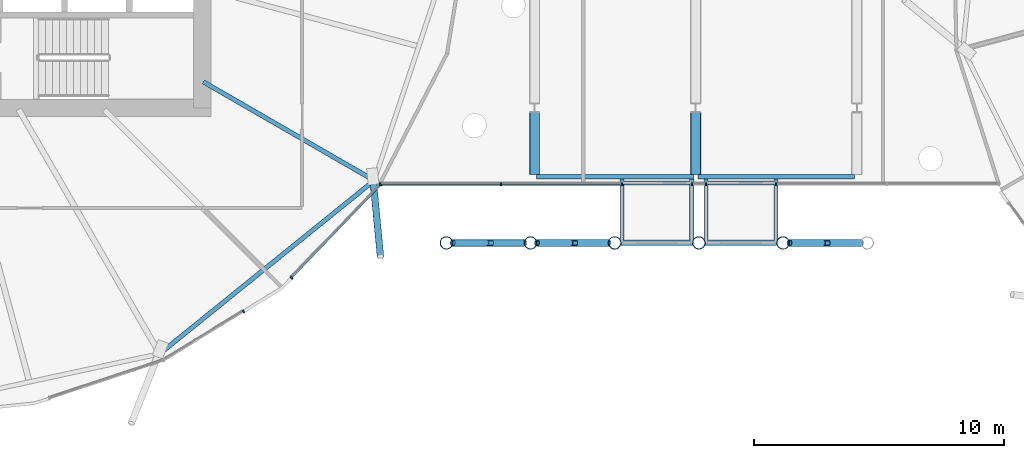
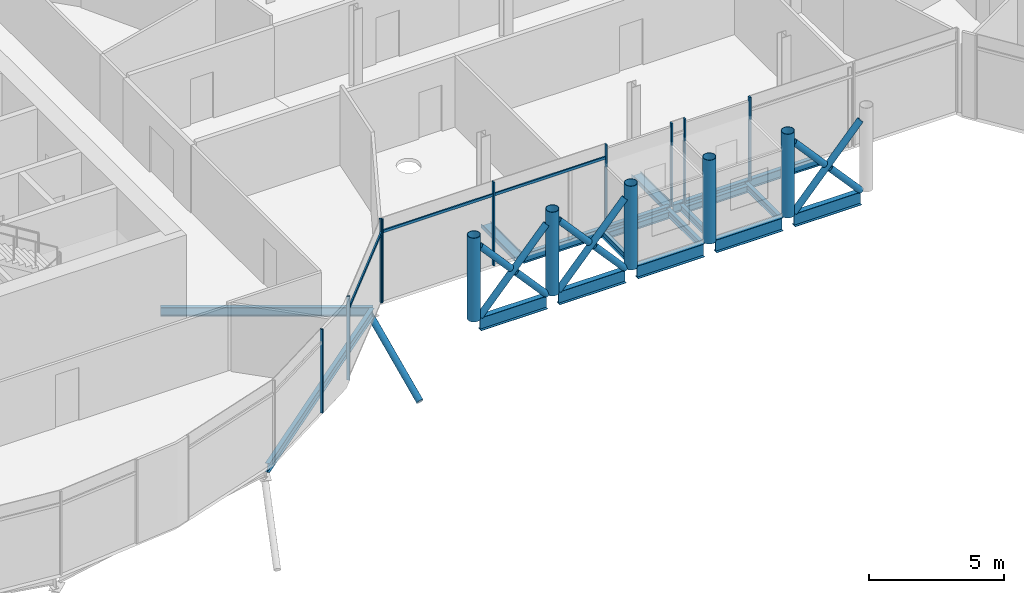
# One storey, part 6 of 39: 27 members, 17 beams, 2 elements without a shape of their own.
"""IFC4 building model written with IfcOpenShell, lengths in metres."""

from ifc_helpers import new_model, si_unit, direction, frame, origin, origin_2d, place, context, subcontext, project, spatial, rectangle, hollow_circle, i_section, extrude, clip, halfspace, material, material_profile, profile_set, type_object, element, aggregate, save


model = new_model("IFC4")

# Units and contexts
model_context = context("Model", 3, precision=1e-05, world=origin(), true_north=direction((0.0, 1.0)))
body_context = subcontext(model_context, "Body", "Model", "MODEL_VIEW")
ifc_project = project(units=[si_unit("LENGTHUNIT", "METRE"), si_unit("AREAUNIT", "SQUARE_METRE"), si_unit("VOLUMEUNIT", "CUBIC_METRE"), si_unit("PLANEANGLEUNIT", "RADIAN"), si_unit("MASSUNIT", "GRAM", prefix="KILO")], contexts=[model_context])

# Site, building, storey
site_placement = place(None, origin())
site = spatial("IfcSite", under=ifc_project, at=site_placement, CompositionType="ELEMENT")
building_placement = place(site_placement, origin())
building = spatial("IfcBuilding", under=site, at=building_placement, Name="Rimbun Link Towers", CompositionType="ELEMENT")
storey_placement = place(building_placement, frame((0.0, 0.0, 139.199951171875)))
storey = spatial("IfcBuildingStorey", under=building, at=storey_placement, Name="L33", CompositionType="ELEMENT", Elevation=139.199951171875)

# Curtain wall, members
ifc_material_1 = material(Name="Aluminium 6063-T6 and low-iron glass", Category="aluminium")
curtain_wall_type = type_object("IfcCurtainWallType", Name="CW4 link block wall", PredefinedType="NOTDEFINED", material=ifc_material_1)
curtain_wall_1_placement = place(storey_placement, origin())
curtain_wall_1 = element("IfcCurtainWall", 1, at=curtain_wall_1_placement, inside=storey, type_object=curtain_wall_type, Name="CW4 L33 T1", PredefinedType="NOTDEFINED")
ifc_material_2 = material(Name="Aluminium 6063-T6", Category="aluminium")
ifc_material_profile_1 = material_profile(ifc_material_2, rectangle(XDim=0.1201171875, YDim=0.06005859375, at=origin_2d()), Name="MULLION 60X120")
ifc_profile_set_1 = profile_set([ifc_material_profile_1], Name="Aluminium 6063-T6")
member_type_1 = type_object("IfcMemberType", Name="CW4 mullion 60X120", PredefinedType="MULLION", material=ifc_profile_set_1)
member_1_placement = place(storey_placement, frame((-18.098388671875, -16.147216796875, 0.0), z_axis=(0.0, 0.0, 1.0), x_axis=(0.523225378089, -0.852194346217, 0.0)))
member_1 = element("IfcMember", 2, at=member_1_placement, type_object=member_type_1, Name="CW4 mullion", PredefinedType="MULLION", context=body_context, shape_type="SweptSolid", body=[
    extrude(rectangle(XDim=0.1201171875, YDim=0.06005859375, at=origin_2d()), origin(), (0.0, 0.0, 1.0), 3.800048828125),
])
member_2_placement = place(storey_placement, frame((-12.599853515625, -11.07275390625, 0.0), z_axis=(0.0, 0.0, 1.0), x_axis=(0.721858090698, -0.692041109252, 0.0)))
member_2 = element("IfcMember", 3, at=member_2_placement, type_object=member_type_1, Name="CW4 mullion", PredefinedType="MULLION", context=body_context, shape_type="SweptSolid", body=[
    extrude(rectangle(XDim=0.1201171875, YDim=0.06005859375, at=origin_2d()), origin(), (0.0, 0.0, 1.0), 3.800048828125),
])
member_3_placement = place(storey_placement, frame((-16.171875, -14.798583984375, 0.0), z_axis=(0.0, 0.0, 1.0), x_axis=(0.721858090698, -0.692041109252, 0.0)))
member_3 = element("IfcMember", 4, at=member_3_placement, type_object=member_type_1, Name="CW4 mullion", PredefinedType="MULLION", context=body_context, shape_type="SweptSolid", body=[
    extrude(rectangle(XDim=0.1201171875, YDim=0.06005859375, at=origin_2d()), origin(), (0.0, 0.0, 1.0), 3.800048828125),
])

curtain_wall_2_placement = place(storey_placement, origin())
curtain_wall_2 = element("IfcCurtainWall", 5, at=curtain_wall_2_placement, inside=storey, type_object=curtain_wall_type, Name="CW4 L33 LB", PredefinedType="NOTDEFINED")
member_4_placement = place(storey_placement, frame((3.21337890625, -11.06005859375, 0.0), z_axis=(0.0, 0.0, 1.0), x_axis=(0.0, -1.0, 0.0)))
member_4 = element("IfcMember", 6, at=member_4_placement, type_object=member_type_1, Name="CW4 mullion", PredefinedType="MULLION", context=body_context, shape_type="SweptSolid", body=[
    extrude(rectangle(XDim=0.1201171875, YDim=0.06005859375, at=origin_2d()), origin(), (0.0, 0.0, 1.0), 3.800048828125),
])
member_5_placement = place(storey_placement, frame((0.413330078125, -11.06005859375, 0.0), z_axis=(0.0, 0.0, 1.0), x_axis=(0.0, -1.0, 0.0)))
member_5 = element("IfcMember", 7, at=member_5_placement, type_object=member_type_1, Name="CW4 mullion", PredefinedType="MULLION", context=body_context, shape_type="SweptSolid", body=[
    extrude(rectangle(XDim=0.1201171875, YDim=0.06005859375, at=origin_2d()), origin(), (0.0, 0.0, 1.0), 3.800048828125),
])
member_6_placement = place(storey_placement, frame((-0.15576171875, -11.06005859375, 0.0), z_axis=(0.0, 0.0, 1.0), x_axis=(0.0, -1.0, 0.0)))
member_6 = element("IfcMember", 8, at=member_6_placement, type_object=member_type_1, Name="CW4 mullion", PredefinedType="MULLION", context=body_context, shape_type="SweptSolid", body=[
    extrude(rectangle(XDim=0.1201171875, YDim=0.06005859375, at=origin_2d()), origin(), (0.0, 0.0, 1.0), 3.800048828125),
])
member_7_placement = place(storey_placement, frame((-2.95556640625, -11.06005859375, 0.0), z_axis=(0.0, 0.0, 1.0), x_axis=(0.0, -1.0, 0.0)))
member_7 = element("IfcMember", 9, at=member_7_placement, type_object=member_type_1, Name="CW4 mullion", PredefinedType="MULLION", context=body_context, shape_type="SweptSolid", body=[
    extrude(rectangle(XDim=0.1201171875, YDim=0.06005859375, at=origin_2d()), origin(), (0.0, 0.0, 1.0), 3.800048828125),
])
member_8_placement = place(storey_placement, frame((-7.791259765625, -11.06005859375, 0.0), z_axis=(0.0, 0.0, 1.0), x_axis=(0.0, -1.0, 0.0)))
member_8 = element("IfcMember", 10, at=member_8_placement, type_object=member_type_1, Name="CW4 mullion", PredefinedType="MULLION", context=body_context, shape_type="SweptSolid", body=[
    extrude(rectangle(XDim=0.1201171875, YDim=0.06005859375, at=origin_2d()), origin(), (0.0, 0.0, 1.0), 3.800048828125),
])
member_9_placement = place(storey_placement, frame((-12.626953125, -11.06005859375, 0.0), z_axis=(0.0, 0.0, 1.0), x_axis=(0.0, -1.0, 0.0)))
member_9 = element("IfcMember", 11, at=member_9_placement, type_object=member_type_1, Name="CW4 mullion", PredefinedType="MULLION", context=body_context, shape_type="SweptSolid", body=[
    extrude(rectangle(XDim=0.1201171875, YDim=0.06005859375, at=origin_2d()), origin(), (0.0, 0.0, 1.0), 3.800048828125),
])

# Member
ifc_material_3 = material(Name="Aluminium 6063-T6", Category="aluminium")
ifc_material_profile_2 = material_profile(ifc_material_3, rectangle(XDim=0.06005859375, YDim=0.1201171875, at=origin_2d()), Name="TRANSOM 60X120")
ifc_profile_set_2 = profile_set([ifc_material_profile_2], Name="Aluminium 6063-T6")
member_type_2 = type_object("IfcMemberType", Name="CW4 transom 60X120", PredefinedType="USERDEFINED", material=ifc_profile_set_2)
member_10_placement = place(storey_placement, frame((-12.6220703125, -11.093017578125, 3.199951171875), z_axis=(-0.692042551771, -0.72185670776, 0.0), x_axis=(0.72185670776, -0.692042551771, 0.0)))
member_10 = element("IfcMember", 12, at=member_10_placement, type_object=member_type_2, Name="CW4 transom", ObjectType="TRANSOM", PredefinedType="USERDEFINED", context=body_context, shape_type="SweptSolid", body=[
    extrude(rectangle(XDim=0.06005859375, YDim=0.1201171875, at=origin_2d()), origin(), (0.0, 0.0, 1.0), 5.1015625),
])

aggregate(curtain_wall_1, [member_1, member_2, member_3, member_10])

member_11_placement = place(storey_placement, frame((-2.985595703125, -11.05810546875, 3.199951171875), z_axis=(-1.0, 0.0, 0.0), x_axis=(0.0, -1.0, 0.0)))
member_11 = element("IfcMember", 13, at=member_11_placement, type_object=member_type_2, Name="CW4 transom", ObjectType="TRANSOM", PredefinedType="USERDEFINED", context=body_context, shape_type="SweptSolid", body=[
    extrude(rectangle(XDim=0.06005859375, YDim=0.1201171875, at=origin_2d()), origin(), (0.0, 0.0, 1.0), 4.775634765625),
])

member_12_placement = place(storey_placement, frame((-7.8212890625, -11.05810546875, 3.199951171875), z_axis=(-1.0, 0.0, 0.0), x_axis=(0.0, -1.0, 0.0)))
member_12 = element("IfcMember", 14, at=member_12_placement, type_object=member_type_2, Name="CW4 transom", ObjectType="TRANSOM", PredefinedType="USERDEFINED", context=body_context, shape_type="SweptSolid", body=[
    extrude(rectangle(XDim=0.06005859375, YDim=0.1201171875, at=origin_2d()), origin(), (0.0, 0.0, 1.0), 4.775634765625),
])

aggregate(curtain_wall_2, [member_4, member_5, member_6, member_7, member_8, member_9, member_11, member_12])

# Beams
ifc_material_4 = material(Name="Steel S355J2", Category="steel")
ifc_material_profile_3 = material_profile(ifc_material_4, i_section(OverallWidth=0.1650390625, OverallDepth=0.303466796875, WebThickness=0.006103515625, FlangeThickness=0.01025390625, at=origin_2d()), Name="UB 305x165x40")
ifc_profile_set_3 = profile_set([ifc_material_profile_3], Name="Steel S355J2")
beam_type_1 = type_object("IfcBeamType", Name="Capsule bracket beam UB 305x165x40", PredefinedType="BEAM", material=ifc_profile_set_3)
for number, where, z_axis, x_axis, name in (
    (15, (-2.95556640625, -10.8349609375, -0.37158203125), (0.0, -1.0, 0.0), (1.0, 0.0, 0.0), "Capsule F33.11 bracket beam 1"),
    (16, (-0.15576171875, -10.8349609375, -0.37158203125), (0.0, -1.0, 0.0), (1.0, 0.0, 0.0), "Capsule F33.11 bracket beam 2"),
):
    element("IfcBeam", number, at=place(storey_placement, frame(where, z_axis=z_axis, x_axis=x_axis)), inside=storey, type_object=beam_type_1, Name=name, PredefinedType="BEAM", context=body_context, shape_type="SweptSolid", body=[
        extrude(i_section(OverallWidth=0.1650390625, OverallDepth=0.303466796875, WebThickness=0.006103515625, FlangeThickness=0.01025390625, at=origin_2d()), origin(), (0.0, 0.0, 1.0), 2.451171875),
    ])
beam_1_placement = place(storey_placement, frame((-2.873046875, -11.0, -0.37158203125), z_axis=(1.0, 0.0, 0.0), x_axis=(0.0, 1.0, 0.0)))
element("IfcBeam", 17, at=beam_1_placement, inside=storey, type_object=beam_type_1, Name="Capsule F33.11 bracket beam 3", PredefinedType="BEAM", context=body_context, shape_type="SweptSolid", body=[
    extrude(i_section(OverallWidth=0.1650390625, OverallDepth=0.303466796875, WebThickness=0.006103515625, FlangeThickness=0.01025390625, at=origin_2d()), origin(), (0.0, 0.0, 1.0), 2.635009765625),
])
for number, where, z_axis, x_axis, name in (
    (18, (0.413330078125, -10.8349609375, -0.37158203125), (0.0, -1.0, 0.0), (1.0, 0.0, 0.0), "Capsule F33.12 bracket beam 1"),
    (19, (3.21337890625, -10.8349609375, -0.37158203125), (0.0, -1.0, 0.0), (1.0, 0.0, 0.0), "Capsule F33.12 bracket beam 2"),
):
    element("IfcBeam", number, at=place(storey_placement, frame(where, z_axis=z_axis, x_axis=x_axis)), inside=storey, type_object=beam_type_1, Name=name, PredefinedType="BEAM", context=body_context, shape_type="SweptSolid", body=[
        extrude(i_section(OverallWidth=0.1650390625, OverallDepth=0.303466796875, WebThickness=0.006103515625, FlangeThickness=0.01025390625, at=origin_2d()), origin(), (0.0, 0.0, 1.0), 2.451171875),
    ])
beam_2_placement = place(storey_placement, frame((0.495849609375, -11.0, -0.37158203125), z_axis=(1.0, 0.0, 0.0), x_axis=(0.0, 1.0, 0.0)))
element("IfcBeam", 20, at=beam_2_placement, inside=storey, type_object=beam_type_1, Name="Capsule F33.12 bracket beam 3", PredefinedType="BEAM", context=body_context, shape_type="SweptSolid", body=[
    extrude(i_section(OverallWidth=0.1650390625, OverallDepth=0.303466796875, WebThickness=0.006103515625, FlangeThickness=0.01025390625, at=origin_2d()), origin(), (0.0, 0.0, 1.0), 2.635009765625),
])

# Member
ifc_material_5 = material(Name="Steel S355J2H", Category="steel")
ifc_material_profile_4 = material_profile(ifc_material_5, hollow_circle(Radius=0.136474609375, WallThickness=0.012451171875, at=origin_2d()), Name="CHS 273x12.5")
ifc_profile_set_4 = profile_set([ifc_material_profile_4], Name="Steel S355J2H")
member_type_3 = type_object("IfcMemberType", Name="Floor edge link CHS 273x12.5", PredefinedType="BRACE", material=ifc_profile_set_4)
member_13_placement = place(storey_placement, frame((-12.909423828125, -10.877685546875, -0.700439453125), z_axis=(0.079120837253, -0.830999368117, -0.550617783314), x_axis=(0.995497955132, 0.094783022365, 0.0)))
element("IfcMember", 21, at=member_13_placement, inside=storey, type_object=member_type_3, Name="Floor edge link T1 L33 22", PredefinedType="BRACE", context=body_context, shape_type="Clipping", body=[
    clip(extrude(hollow_circle(Radius=0.136474609375, WallThickness=0.012451171875, at=origin_2d()), frame((0.0, 0.0, -0.43212890625)), (0.0, 0.0, 1.0), 4.137939453125), halfspace(frame((0.0, 0.0, -0.20361328125), z_axis=(0.0, 0.834757483763, -0.550617783314)), False)),
])

# Beams
ifc_material_6 = material(Name="Steel S355J2", Category="steel")
ifc_material_profile_5 = material_profile(ifc_material_6, i_section(OverallWidth=0.177978515625, OverallDepth=0.406494140625, WebThickness=0.0078125, FlangeThickness=0.0126953125, at=origin_2d()), Name="UKB 406x178x60")
ifc_profile_set_5 = profile_set([ifc_material_profile_5], Name="Steel S355J2")
beam_type_2 = type_object("IfcBeamType", Name="Link floor beam UKB 406x178x60", PredefinedType="BEAM", material=ifc_profile_set_5)
for number, where, z_axis, x_axis, name in (
    (22, (-6.449951171875, -10.660888671875, -0.363037109375), (0.0, 1.0, 0.0), (0.0, 0.0, 1.0), "Link floor beam L33 00"),
    (23, (0.0, -10.660888671875, -0.363037109375), (0.0, 1.0, 0.0), (0.0, 0.0, 1.0), "Link floor beam L33 04"),
):
    element("IfcBeam", number, at=place(storey_placement, frame(where, z_axis=z_axis, x_axis=x_axis)), inside=storey, type_object=beam_type_2, Name=name, PredefinedType="BEAM", context=body_context, shape_type="SweptSolid", body=[
        extrude(i_section(OverallWidth=0.177978515625, OverallDepth=0.406494140625, WebThickness=0.0078125, FlangeThickness=0.0126953125, at=origin_2d()), origin(), (0.0, 0.0, 1.0), 2.473388671875),
    ])
for number, where, z_axis, x_axis, name in (
    (24, (-6.361083984375, -10.75, -0.363037109375), (1.0, 0.0, 0.0), (0.0, 1.0, 0.0), "Link edge beam L33 12"),
    (25, (0.089111328125, -10.75, -0.363037109375), (1.0, 0.0, 0.0), (0.0, 1.0, 0.0), "Link edge beam L33 13"),
):
    element("IfcBeam", number, at=place(storey_placement, frame(where, z_axis=z_axis, x_axis=x_axis)), inside=storey, type_object=beam_type_2, Name=name, PredefinedType="BEAM", context=body_context, shape_type="SweptSolid", body=[
        extrude(i_section(OverallWidth=0.177978515625, OverallDepth=0.406494140625, WebThickness=0.0078125, FlangeThickness=0.0126953125, at=origin_2d()), origin(), (0.0, 0.0, 1.0), 6.27197265625),
    ])

# Members
ifc_material_7 = material(Name="Steel S355J2H", Category="steel")
ifc_material_profile_6 = material_profile(ifc_material_7, hollow_circle(Radius=0.136474609375, WallThickness=0.012451171875, at=origin_2d()), Name="CHS 273x12.5")
ifc_profile_set_6 = profile_set([ifc_material_profile_6], Name="Steel S355J2H")
member_type_4 = type_object("IfcMemberType", Name="Link megaframe brace CHS 273x12.5", PredefinedType="BRACE", material=ifc_profile_set_6)
member_14_placement = place(storey_placement, frame((-9.72412109375, -13.39990234375, -0.219970703125), z_axis=(0.666814818111, 0.0, 0.745223455312), x_axis=(0.0, 1.0, 0.0)))
element("IfcMember", 26, at=member_14_placement, inside=storey, type_object=member_type_4, Name="Link megaframe brace S0-1 bay 2.1", PredefinedType="BRACE", context=body_context, shape_type="SweptSolid", body=[
    extrude(hollow_circle(Radius=0.136474609375, WallThickness=0.012451171875, at=origin_2d()), origin(), (0.0, 0.0, 1.0), 4.290771484375),
])
member_15_placement = place(storey_placement, frame((-6.863037109375, -13.39990234375, -0.219970703125), z_axis=(-0.666827130153, 0.0, 0.745212438498), x_axis=(0.0, -1.0, 0.0)))
element("IfcMember", 27, at=member_15_placement, inside=storey, type_object=member_type_4, Name="Link megaframe brace S0-1 bay 2.2a", PredefinedType="BRACE", context=body_context, shape_type="SweptSolid", body=[
    extrude(hollow_circle(Radius=0.136474609375, WallThickness=0.012451171875, at=origin_2d()), origin(), (0.0, 0.0, 1.0), 1.990234375),
])
member_16_placement = place(storey_placement, frame((-8.39697265625, -13.39990234375, 1.494140625), z_axis=(-0.666766175991, 0.0, 0.745266976696), x_axis=(0.0, -1.0, 0.0)))
element("IfcMember", 28, at=member_16_placement, inside=storey, type_object=member_type_4, Name="Link megaframe brace S0-1 bay 2.2b", PredefinedType="BRACE", context=body_context, shape_type="SweptSolid", body=[
    extrude(hollow_circle(Radius=0.136474609375, WallThickness=0.012451171875, at=origin_2d()), origin(), (0.0, 0.0, 1.0), 1.990478515625),
])
member_17_placement = place(storey_placement, frame((-6.35498046875, -13.39990234375, -0.219970703125), z_axis=(0.666783216266, 0.0, 0.745251730964), x_axis=(0.0, 1.0, 0.0)))
element("IfcMember", 29, at=member_17_placement, inside=storey, type_object=member_type_4, Name="Link megaframe brace S1-2 bay 2.1", PredefinedType="BRACE", context=body_context, shape_type="SweptSolid", body=[
    extrude(hollow_circle(Radius=0.136474609375, WallThickness=0.012451171875, at=origin_2d()), origin(), (0.0, 0.0, 1.0), 4.29052734375),
])
for number, where, z_axis, x_axis, name in (
    (30, (-3.494140625, -13.39990234375, -0.219970703125), (-0.666827130153, 0.0, 0.745212438498), (0.0, -1.0, 0.0), "Link megaframe brace S1-2 bay 2.2a"),
    (31, (-5.028076171875, -13.39990234375, 1.494140625), (-0.666698040852, 0.0, 0.745327929387), (0.0, -1.0, 0.0), "Link megaframe brace S1-2 bay 2.2b"),
):
    element("IfcMember", number, at=place(storey_placement, frame(where, z_axis=z_axis, x_axis=x_axis)), inside=storey, type_object=member_type_4, Name=name, PredefinedType="BRACE", context=body_context, shape_type="SweptSolid", body=[
        extrude(hollow_circle(Radius=0.136474609375, WallThickness=0.012451171875, at=origin_2d()), origin(), (0.0, 0.0, 1.0), 1.990234375),
    ])
member_18_placement = place(storey_placement, frame((3.751708984375, -13.39990234375, -0.219970703125), z_axis=(0.666814818111, 0.0, 0.745223455312), x_axis=(0.0, 1.0, 0.0)))
element("IfcMember", 32, at=member_18_placement, inside=storey, type_object=member_type_4, Name="Link megaframe brace S4-5 bay 2.1", PredefinedType="BRACE", context=body_context, shape_type="SweptSolid", body=[
    extrude(hollow_circle(Radius=0.136474609375, WallThickness=0.012451171875, at=origin_2d()), origin(), (0.0, 0.0, 1.0), 4.290771484375),
])
member_19_placement = place(storey_placement, frame((6.61279296875, -13.39990234375, -0.219970703125), z_axis=(-0.666827130153, 0.0, 0.745212438498), x_axis=(0.0, -1.0, 0.0)))
element("IfcMember", 33, at=member_19_placement, inside=storey, type_object=member_type_4, Name="Link megaframe brace S4-5 bay 2.2a", PredefinedType="BRACE", context=body_context, shape_type="SweptSolid", body=[
    extrude(hollow_circle(Radius=0.136474609375, WallThickness=0.012451171875, at=origin_2d()), origin(), (0.0, 0.0, 1.0), 1.990234375),
])
member_20_placement = place(storey_placement, frame((5.078857421875, -13.39990234375, 1.494140625), z_axis=(-0.666766175991, 0.0, 0.745266976696), x_axis=(0.0, -1.0, 0.0)))
element("IfcMember", 34, at=member_20_placement, inside=storey, type_object=member_type_4, Name="Link megaframe brace S4-5 bay 2.2b", PredefinedType="BRACE", context=body_context, shape_type="SweptSolid", body=[
    extrude(hollow_circle(Radius=0.136474609375, WallThickness=0.012451171875, at=origin_2d()), origin(), (0.0, 0.0, 1.0), 1.990478515625),
])
ifc_material_8 = material(Name="Steel S355J2H", Category="steel")
ifc_material_profile_7 = material_profile(ifc_material_8, hollow_circle(Radius=0.25390625, WallThickness=0.02001953125, at=origin_2d()), Name="CHS 508x20")
ifc_profile_set_7 = profile_set([ifc_material_profile_7], Name="Steel S355J2H")
member_type_5 = type_object("IfcMemberType", Name="Link megaframe post CHS 508x20", PredefinedType="POST", material=ifc_profile_set_7)
for number, where, z_axis, x_axis, name in (
    (35, (-9.97802734375, -13.39990234375, -0.219970703125), (0.0, 0.0, 1.0), (1.0, 0.0, 0.0), "Link megaframe post S0 bay 2"),
    (36, (-6.609130859375, -13.39990234375, -0.219970703125), (0.0, 0.0, 1.0), (1.0, 0.0, 0.0), "Link megaframe post S1 bay 2"),
    (37, (-3.239990234375, -13.39990234375, -0.219970703125), (0.0, 0.0, 1.0), (1.0, 0.0, 0.0), "Link megaframe post S2 bay 2"),
    (38, (0.12890625, -13.39990234375, -0.219970703125), (0.0, 0.0, 1.0), (1.0, 0.0, 0.0), "Link megaframe post S3 bay 2"),
    (39, (3.497802734375, -13.39990234375, -0.219970703125), (0.0, 0.0, 1.0), (1.0, 0.0, 0.0), "Link megaframe post S4 bay 2"),
):
    element("IfcMember", number, at=place(storey_placement, frame(where, z_axis=z_axis, x_axis=x_axis)), inside=storey, type_object=member_type_5, Name=name, PredefinedType="POST", context=body_context, shape_type="SweptSolid", body=[
        extrude(hollow_circle(Radius=0.25390625, WallThickness=0.02001953125, at=origin_2d()), origin(), (0.0, 0.0, 1.0), 3.800048828125),
    ])

# Beams
ifc_material_9 = material(Name="Steel S355J2", Category="steel")
ifc_material_profile_8 = material_profile(ifc_material_9, i_section(OverallWidth=0.2275390625, OverallDepth=0.6025390625, WebThickness=0.010498046875, FlangeThickness=0.014892578125, at=origin_2d()), Name="UB 610x229x101")
ifc_profile_set_8 = profile_set([ifc_material_profile_8], Name="Steel S355J2")
beam_type_3 = type_object("IfcBeamType", Name="Link megaframe ring beam UB 610x229x101", PredefinedType="BEAM", material=ifc_profile_set_8)
beam_3_placement = place(storey_placement, frame((-9.72412109375, -13.39990234375, -0.521240234375), z_axis=(1.0, 0.0, 0.0), x_axis=(0.0, 1.0, 0.0)))
element("IfcBeam", 40, at=beam_3_placement, inside=storey, type_object=beam_type_3, Name="Link megaframe ring beam S0-1 L33", PredefinedType="BEAM", context=body_context, shape_type="SweptSolid", body=[
    extrude(i_section(OverallWidth=0.2275390625, OverallDepth=0.6025390625, WebThickness=0.010498046875, FlangeThickness=0.014892578125, at=origin_2d()), origin(), (0.0, 0.0, 1.0), 2.861083984375),
])
for number, where, z_axis, x_axis, name in (
    (41, (-6.35498046875, -13.39990234375, -0.521240234375), (1.0, 0.0, 0.0), (0.0, 1.0, 0.0), "Link megaframe ring beam S1-2 L33"),
    (42, (-2.986083984375, -13.39990234375, -0.521240234375), (1.0, 0.0, 0.0), (0.0, 1.0, 0.0), "Link megaframe ring beam S2-3 L33"),
):
    element("IfcBeam", number, at=place(storey_placement, frame(where, z_axis=z_axis, x_axis=x_axis)), inside=storey, type_object=beam_type_3, Name=name, PredefinedType="BEAM", context=body_context, shape_type="SweptSolid", body=[
        extrude(i_section(OverallWidth=0.2275390625, OverallDepth=0.6025390625, WebThickness=0.010498046875, FlangeThickness=0.014892578125, at=origin_2d()), origin(), (0.0, 0.0, 1.0), 2.86083984375),
    ])
for number, where, z_axis, x_axis, name in (
    (43, (0.3828125, -13.39990234375, -0.521240234375), (1.0, 0.0, 0.0), (0.0, 1.0, 0.0), "Link megaframe ring beam S3-4 L33"),
    (44, (3.751708984375, -13.39990234375, -0.521240234375), (1.0, 0.0, 0.0), (0.0, 1.0, 0.0), "Link megaframe ring beam S4-5 L33"),
):
    element("IfcBeam", number, at=place(storey_placement, frame(where, z_axis=z_axis, x_axis=x_axis)), inside=storey, type_object=beam_type_3, Name=name, PredefinedType="BEAM", context=body_context, shape_type="SweptSolid", body=[
        extrude(i_section(OverallWidth=0.2275390625, OverallDepth=0.6025390625, WebThickness=0.010498046875, FlangeThickness=0.014892578125, at=origin_2d()), origin(), (0.0, 0.0, 1.0), 2.861083984375),
    ])
ifc_material_10 = material(Name="Steel S355J2", Category="steel")
ifc_material_profile_9 = material_profile(ifc_material_10, i_section(OverallWidth=0.177978515625, OverallDepth=0.406494140625, WebThickness=0.0078125, FlangeThickness=0.0126953125, at=origin_2d()), Name="UB 406x178x60")
ifc_profile_set_9 = profile_set([ifc_material_profile_9], Name="Steel S355J2")
beam_type_4 = type_object("IfcBeamType", Name="UB 406x178x60", PredefinedType="BEAM", material=ifc_profile_set_9)
beam_4_placement = place(storey_placement, frame((-19.70458984375, -6.954345703125, -0.383056640625), z_axis=(0.866019794698, -0.500009715097, 0.0), x_axis=(0.500009715097, 0.866019794698, 0.0)))
element("IfcBeam", 45, at=beam_4_placement, inside=storey, type_object=beam_type_4, Name="Radial beam T1 L33 22", PredefinedType="BEAM", context=body_context, shape_type="SweptSolid", body=[
    extrude(i_section(OverallWidth=0.177978515625, OverallDepth=0.406494140625, WebThickness=0.0078125, FlangeThickness=0.0126953125, at=origin_2d()), origin(), (0.0, 0.0, 1.0), 7.896240234375),
])
beam_5_placement = place(storey_placement, frame((-21.36181640625, -17.763427734375, -0.383056640625), z_axis=(0.77798655313, 0.628280926934, 0.0), x_axis=(-0.628280926934, 0.77798655313, 0.0)))
element("IfcBeam", 46, at=beam_5_placement, inside=storey, type_object=beam_type_4, Name="Edge beam T1 L33 20-22", PredefinedType="BEAM", context=body_context, shape_type="SweptSolid", body=[
    extrude(i_section(OverallWidth=0.177978515625, OverallDepth=0.406494140625, WebThickness=0.0078125, FlangeThickness=0.0126953125, at=origin_2d()), origin(), (0.0, 0.0, 1.0), 10.82373046875),
])

save(model, "model.ifc")
